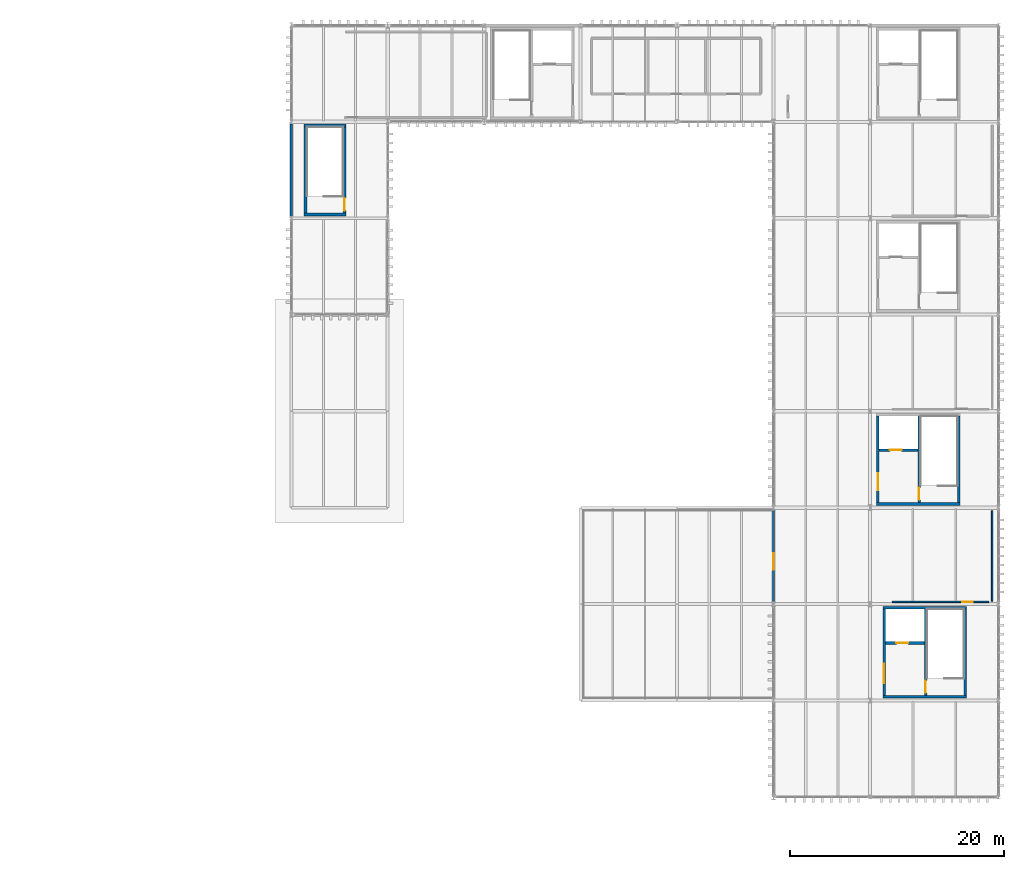
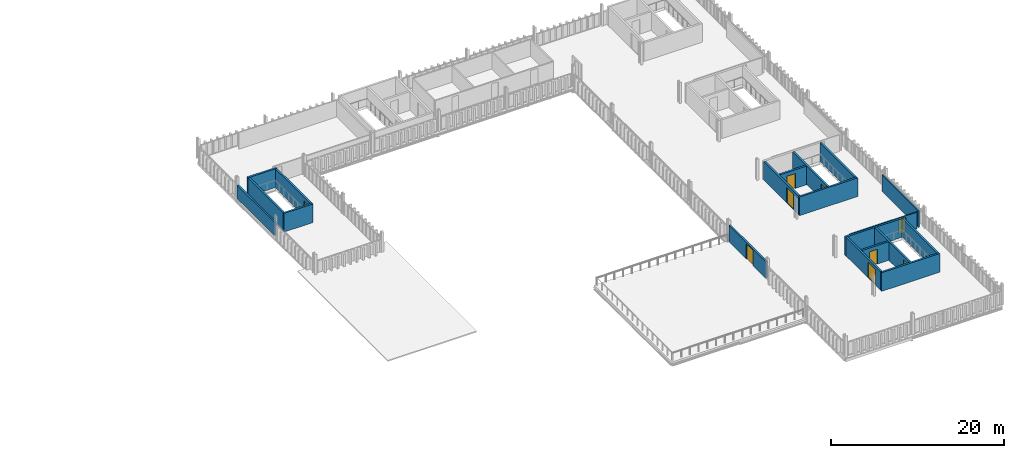
# One storey, part 53 of 58: 19 walls, 9 doors, 9 openings.
"""IFC4 building model written with IfcOpenShell, lengths in metres."""

from ifc_helpers import new_model, si_unit, direction, frame, frame_2d, origin, place, context, subcontext, project, spatial, rectangle, extrude, material, layer, layer_set, type_object, element, fill, save


model = new_model("IFC4")

# Units and contexts
model_context = context("Model", 3, precision=1e-05, world=origin(), true_north=direction((0.0, 1.0)))
body_context = subcontext(model_context, "Body", "Model", "MODEL_VIEW")
ifc_project = project(units=[si_unit("LENGTHUNIT", "METRE"), si_unit("AREAUNIT", "SQUARE_METRE"), si_unit("VOLUMEUNIT", "CUBIC_METRE"), si_unit("PLANEANGLEUNIT", "RADIAN"), si_unit("MASSUNIT", "GRAM", prefix="KILO")], contexts=[model_context])

# Site, building, storey
site_placement = place(None, origin())
site = spatial("IfcSite", under=ifc_project, at=site_placement, CompositionType="ELEMENT")
building_placement = place(site_placement, origin())
building = spatial("IfcBuilding", under=site, at=building_placement, Name="Barlavento Convention Centre", CompositionType="ELEMENT")
storey_placement = place(building_placement, frame((0.0, 0.0, 26.800048828125)))
storey = spatial("IfcBuildingStorey", under=building, at=storey_placement, Name="L05", CompositionType="ELEMENT", Elevation=26.800048828125)

# Wall, opening, door
ifc_material_1 = material(Name="Insulated rainscreen setback wall", Category="masonry")
ifc_layer_1 = layer(ifc_material_1, 0.215087890625)
ifc_layer_set_1 = layer_set([ifc_layer_1], Name="ARC-WL-EXT-215")
wall_type_1 = type_object("IfcWallType", Name="ARC-WL-EXT-215", PredefinedType="SOLIDWALL", material=ifc_layer_set_1)
wall_1_placement = place(storey_placement, frame((171.0, 45.195068359375, 0.0), z_axis=(0.0, 0.0, 1.0), x_axis=(0.0, 1.0, 0.0)))
wall_1 = element("IfcWall", 1, at=wall_1_placement, inside=storey, type_object=wall_type_1, Name="L05 exterior wall EW05", PredefinedType="SOLIDWALL", context=body_context, shape_type="SweptSolid", body=[
    extrude(rectangle(XDim=8.5849609375, YDim=0.215087890625, at=frame_2d((4.29248046875, 0.0))), origin(), (0.0, 0.0, 1.0), 2.349853515625),
])
opening_1_placement = place(wall_1_placement, frame((3.0048828125, 0.0, 0.0)))
opening_1 = element("IfcOpeningElement", 2, at=opening_1_placement, cuts=wall_1, Name="Opening TD-501", PredefinedType="OPENING", context=body_context, shape_type="SweptSolid", body=[
    extrude(rectangle(XDim=1.550048828125, YDim=2.14990234375, at=frame_2d((0.77490234375, 1.074951171875))), frame((0.0, 0.117431640625, 0.0), z_axis=(0.0, -1.0, 0.0), x_axis=(1.0, 0.0, 0.0)), (0.0, 0.0, 1.0), 0.235107421875),
])
ifc_material_2 = material(Name="Anodized aluminium and tempered glass", Category="aluminium")
door_type_1 = type_object("IfcDoorType", Name="ARC-DR-TERR-1550X2200", OperationType="DOUBLE_DOOR_SINGLE_SWING", PredefinedType="DOOR", material=ifc_material_2)
door_1_placement = place(opening_1_placement, origin())
door_1 = element("IfcDoor", 3, at=door_1_placement, inside=storey, type_object=door_type_1, Name="DR-EXT-L05-0064 L05 Belvedere Terrace access door TD-501", OperationType="DOUBLE_DOOR_SINGLE_SWING", OverallHeight=2.14990234375, OverallWidth=1.550048828125, PredefinedType="DOOR", context=body_context, shape_type="SweptSolid", body=[
    extrude(rectangle(XDim=1.550048828125, YDim=2.14990234375, at=frame_2d((0.77490234375, 1.074951171875))), frame((0.0, 0.02490234375, 0.0), z_axis=(0.0, -1.0, 0.0), x_axis=(1.0, 0.0, 0.0)), (0.0, 0.0, 1.0), 0.050048828125),
])
fill(opening_1, door_1)

# Wall
wall_2_placement = place(storey_placement, frame((126.0, 81.1650390625, 0.0), z_axis=(0.0, 0.0, 1.0), x_axis=(0.0, 1.0, 0.0)))
element("IfcWall", 4, at=wall_2_placement, inside=storey, type_object=wall_type_1, Name="L05 exterior wall EW05", PredefinedType="SOLIDWALL", context=body_context, shape_type="SweptSolid", body=[
    extrude(rectangle(XDim=8.639892578125, YDim=0.215087890625, at=frame_2d((4.31982421875, 0.0))), origin(), (0.0, 0.0, 1.0), 1.89990234375),
])

# Wall, opening, door
ifc_material_3 = material(Name="Insulated gypsum partition")
ifc_layer_2 = layer(ifc_material_3, 0.139892578125)
ifc_layer_set_2 = layer_set([ifc_layer_2], Name="ARC-WL-PART-140")
wall_type_2 = type_object("IfcWallType", Name="ARC-WL-PART-140", PredefinedType="PARTITIONING", material=ifc_layer_set_2)
wall_3_placement = place(storey_placement, frame((182.06005859375, 45.199951171875, 0.0), z_axis=(0.0, 0.0, 1.0), x_axis=(1.0, 0.0, 0.0)))
wall_3 = element("IfcWall", 5, at=wall_3_placement, inside=storey, type_object=wall_type_2, Name="L05 interior wall PT-04", PredefinedType="PARTITIONING", context=body_context, shape_type="SweptSolid", body=[
    extrude(rectangle(XDim=9.0400390625, YDim=0.139892578125, at=frame_2d((4.52001953125, 0.0))), origin(), (0.0, 0.0, 1.0), 2.349853515625),
])
opening_2_placement = place(wall_3_placement, frame((6.550048828125, 0.0, 0.0)))
opening_2 = element("IfcOpeningElement", 6, at=opening_2_placement, cuts=wall_3, Name="Opening ID-08", PredefinedType="OPENING", context=body_context, shape_type="SweptSolid", body=[
    extrude(rectangle(XDim=0.97998046875, YDim=2.1201171875, at=frame_2d((0.489990234375, 1.06005859375))), frame((0.0, 0.079833984375, 0.0), z_axis=(0.0, -1.0, 0.0), x_axis=(1.0, 0.0, 0.0)), (0.0, 0.0, 1.0), 0.159912109375),
])
ifc_material_4 = material(Name="Timber veneer acoustic core", Category="wood")
door_type_2 = type_object("IfcDoorType", Name="ARC-DR-ROOM-980X2120", OperationType="NOTDEFINED", PredefinedType="DOOR", material=ifc_material_4)
door_2_placement = place(opening_2_placement, origin())
door_2 = element("IfcDoor", 7, at=door_2_placement, inside=storey, type_object=door_type_2, Name="DR-INT-L05-0246 L05 interior door ID-08", OperationType="SINGLE_SWING_RIGHT", OverallHeight=2.1201171875, OverallWidth=0.97998046875, PredefinedType="DOOR", context=body_context, shape_type="SweptSolid", body=[
    extrude(rectangle(XDim=0.97998046875, YDim=2.1201171875, at=frame_2d((0.489990234375, 1.06005859375))), frame((0.0, 0.02490234375, 0.0), z_axis=(0.0, -1.0, 0.0), x_axis=(1.0, 0.0, 0.0)), (0.0, 0.0, 1.0), 0.050048828125),
])
fill(opening_2, door_2)

# Wall
wall_4_placement = place(storey_placement, frame((191.39990234375, 45.283935546875, 0.0), z_axis=(0.0, 0.0, 1.0), x_axis=(0.0, 1.0, 0.0)))
element("IfcWall", 8, at=wall_4_placement, inside=storey, type_object=wall_type_2, Name="L05 interior wall PT-04", PredefinedType="PARTITIONING", context=body_context, shape_type="SweptSolid", body=[
    extrude(rectangle(XDim=8.43212890625, YDim=0.139892578125, at=frame_2d((4.216064453125, 0.0))), origin(), (0.0, 0.0, 1.0), 2.349853515625),
])

# Wall, opening, door
ifc_material_5 = material(Name="Concrete C50/60", Category="concrete")
ifc_layer_3 = layer(ifc_material_5, 0.25)
ifc_layer_set_3 = layer_set([ifc_layer_3], Name="STR-WL-CORE-250")
wall_type_3 = type_object("IfcWallType", Name="STR-WL-CORE-250", PredefinedType="SHEAR", material=ifc_layer_set_3)
wall_5_placement = place(storey_placement, frame((180.72509765625, 54.469970703125, 0.0), z_axis=(0.0, 0.0, 1.0), x_axis=(0.0, 1.0, 0.0)))
wall_5 = element("IfcWall", 9, at=wall_5_placement, inside=storey, type_object=wall_type_3, Name="L05 interior wall CW-02", PredefinedType="SHEAR", context=body_context, shape_type="SweptSolid", body=[
    extrude(rectangle(XDim=8.06005859375, YDim=0.25, at=frame_2d((4.030029296875, 0.0))), origin(), (0.0, 0.0, 1.0), 2.639892578125),
])
opening_3_placement = place(wall_5_placement, frame((1.14990234375, 0.0, 0.0)))
opening_3 = element("IfcOpeningElement", 10, at=opening_3_placement, cuts=wall_5, Name="Opening FD-02", PredefinedType="OPENING", context=body_context, shape_type="SweptSolid", body=[
    extrude(rectangle(XDim=1.60009765625, YDim=2.199951171875, at=frame_2d((0.800048828125, 1.10009765625))), frame((0.0, 0.135009765625, 0.0), z_axis=(0.0, -1.0, 0.0), x_axis=(1.0, 0.0, 0.0)), (0.0, 0.0, 1.0), 0.27001953125),
])
ifc_material_6 = material(Name="Painted galvanized steel", Category="steel")
door_type_3 = type_object("IfcDoorType", Name="ARC-DR-FIRE-1600X2200", OperationType="DOUBLE_DOOR_SINGLE_SWING", PredefinedType="DOOR", material=ifc_material_6)
door_3_placement = place(opening_3_placement, origin())
door_3 = element("IfcDoor", 11, at=door_3_placement, inside=storey, type_object=door_type_3, Name="DR-INT-L05-0075 L05 LP4 lobby fire door", OperationType="DOUBLE_DOOR_SINGLE_SWING", OverallHeight=2.199951171875, OverallWidth=1.60009765625, PredefinedType="DOOR", context=body_context, shape_type="SweptSolid", body=[
    extrude(rectangle(XDim=1.60009765625, YDim=2.199951171875, at=frame_2d((0.800048828125, 1.10009765625))), frame((0.0, 0.02490234375, 0.0), z_axis=(0.0, -1.0, 0.0), x_axis=(1.0, 0.0, 0.0)), (0.0, 0.0, 1.0), 0.050048828125),
])
fill(opening_3, door_3)

# Walls
wall_6_placement = place(storey_placement, frame((188.27490234375, 54.469970703125, 0.0), z_axis=(0.0, 0.0, 1.0), x_axis=(0.0, 1.0, 0.0)))
element("IfcWall", 12, at=wall_6_placement, inside=storey, type_object=wall_type_3, Name="L05 interior wall CW-02", PredefinedType="SHEAR", context=body_context, shape_type="SweptSolid", body=[
    extrude(rectangle(XDim=8.06005859375, YDim=0.25, at=frame_2d((4.030029296875, 0.0))), origin(), (0.0, 0.0, 1.0), 2.639892578125),
])
wall_7_placement = place(storey_placement, frame((180.60009765625, 54.344970703125, 0.0), z_axis=(0.0, 0.0, 1.0), x_axis=(1.0, 0.0, 0.0)))
element("IfcWall", 13, at=wall_7_placement, inside=storey, type_object=wall_type_3, Name="L05 interior wall CW-02", PredefinedType="SHEAR", context=body_context, shape_type="SweptSolid", body=[
    extrude(rectangle(XDim=7.7998046875, YDim=0.25, at=frame_2d((3.89990234375, 0.0))), origin(), (0.0, 0.0, 1.0), 2.639892578125),
])

# Wall, opening, door
wall_8_placement = place(storey_placement, frame((184.5849609375, 54.469970703125, 0.0), z_axis=(0.0, 0.0, 1.0), x_axis=(0.0, 1.0, 0.0)))
wall_8 = element("IfcWall", 14, at=wall_8_placement, inside=storey, type_object=wall_type_3, Name="L05 interior wall CW-02", PredefinedType="SHEAR", context=body_context, shape_type="SweptSolid", body=[
    extrude(rectangle(XDim=8.06005859375, YDim=0.25, at=frame_2d((4.030029296875, 0.0))), origin(), (0.0, 0.0, 1.0), 2.639892578125),
])
opening_4_placement = place(wall_8_placement, frame((0.25, 0.0, 0.0)))
opening_4 = element("IfcOpeningElement", 15, at=opening_4_placement, cuts=wall_8, Name="Opening FD-03", PredefinedType="OPENING", context=body_context, shape_type="SweptSolid", body=[
    extrude(rectangle(XDim=1.14990234375, YDim=2.14990234375, at=frame_2d((0.574951171875, 1.074951171875))), frame((0.0, 0.135009765625, 0.0), z_axis=(0.0, -1.0, 0.0), x_axis=(1.0, 0.0, 0.0)), (0.0, 0.0, 1.0), 0.27001953125),
])
door_type_4 = type_object("IfcDoorType", Name="ARC-DR-FIRE-1150X2150", OperationType="NOTDEFINED", PredefinedType="DOOR", material=ifc_material_6)
door_4_placement = place(opening_4_placement, origin())
door_4 = element("IfcDoor", 16, at=door_4_placement, inside=storey, type_object=door_type_4, Name="DR-INT-L05-0073 L05 ST05 stair fire door FD-03", OperationType="SINGLE_SWING_LEFT", OverallHeight=2.14990234375, OverallWidth=1.14990234375, PredefinedType="DOOR", context=body_context, shape_type="SweptSolid", body=[
    extrude(rectangle(XDim=1.14990234375, YDim=2.14990234375, at=frame_2d((0.574951171875, 1.074951171875))), frame((0.0, 0.02490234375, 0.0), z_axis=(0.0, -1.0, 0.0), x_axis=(1.0, 0.0, 0.0)), (0.0, 0.0, 1.0), 0.050048828125),
])
fill(opening_4, door_4)

wall_9_placement = place(storey_placement, frame((180.85009765625, 59.3701171875, 0.0), z_axis=(0.0, 0.0, 1.0), x_axis=(1.0, 0.0, 0.0)))
wall_9 = element("IfcWall", 17, at=wall_9_placement, inside=storey, type_object=wall_type_3, Name="L05 interior wall CW-02", PredefinedType="SHEAR", context=body_context, shape_type="SweptSolid", body=[
    extrude(rectangle(XDim=3.60986328125, YDim=0.25, at=frame_2d((1.804931640625, 0.0))), origin(), (0.0, 0.0, 1.0), 2.639892578125),
])
opening_5_placement = place(wall_9_placement, frame((1.0, 0.0, 0.0)))
opening_5 = element("IfcOpeningElement", 18, at=opening_5_placement, cuts=wall_9, Name="Opening LD-02", PredefinedType="OPENING", context=body_context, shape_type="SweptSolid", body=[
    extrude(rectangle(XDim=1.10009765625, YDim=2.10009765625, at=frame_2d((0.550048828125, 1.050048828125))), frame((0.0, 0.135009765625, 0.0), z_axis=(0.0, -1.0, 0.0), x_axis=(1.0, 0.0, 0.0)), (0.0, 0.0, 1.0), 0.27001953125),
])
ifc_material_7 = material(Name="Brushed stainless steel", Category="steel")
door_type_5 = type_object("IfcDoorType", Name="ARC-DR-LIFT-1100X2100", OperationType="DOUBLE_DOOR_SLIDING", PredefinedType="DOOR", material=ifc_material_7)
door_5_placement = place(opening_5_placement, origin())
door_5 = element("IfcDoor", 19, at=door_5_placement, inside=storey, type_object=door_type_5, Name="DR-INT-L05-0074 LP4 lift sliding landing door", OperationType="DOUBLE_DOOR_SLIDING", OverallHeight=2.10009765625, OverallWidth=1.10009765625, PredefinedType="DOOR", context=body_context, shape_type="SweptSolid", body=[
    extrude(rectangle(XDim=1.10009765625, YDim=2.10009765625, at=frame_2d((0.550048828125, 1.050048828125))), frame((0.0, 0.02490234375, 0.0), z_axis=(0.0, -1.0, 0.0), x_axis=(1.0, 0.0, 0.0)), (0.0, 0.0, 1.0), 0.050048828125),
])
fill(opening_5, door_5)

wall_10_placement = place(storey_placement, frame((181.324951171875, 36.469970703125, 0.0), z_axis=(0.0, 0.0, 1.0), x_axis=(0.0, 1.0, 0.0)))
wall_10 = element("IfcWall", 20, at=wall_10_placement, inside=storey, type_object=wall_type_3, Name="L05 interior wall CW-02", PredefinedType="SHEAR", context=body_context, shape_type="SweptSolid", body=[
    extrude(rectangle(XDim=8.06005859375, YDim=0.25, at=frame_2d((4.030029296875, 0.0))), origin(), (0.0, 0.0, 1.0), 2.639892578125),
])
opening_6_placement = place(wall_10_placement, frame((1.14990234375, 0.0, 0.0)))
opening_6 = element("IfcOpeningElement", 21, at=opening_6_placement, cuts=wall_10, Name="Opening FD-01", PredefinedType="OPENING", context=body_context, shape_type="SweptSolid", body=[
    extrude(rectangle(XDim=1.800048828125, YDim=2.199951171875, at=frame_2d((0.89990234375, 1.10009765625))), frame((0.0, 0.135009765625, 0.0), z_axis=(0.0, -1.0, 0.0), x_axis=(1.0, 0.0, 0.0)), (0.0, 0.0, 1.0), 0.27001953125),
])
door_type_6 = type_object("IfcDoorType", Name="ARC-DR-FIRE-1800X2200", OperationType="DOUBLE_DOOR_SINGLE_SWING", PredefinedType="DOOR", material=ifc_material_6)
door_6_placement = place(opening_6_placement, origin())
door_6 = element("IfcDoor", 22, at=door_6_placement, inside=storey, type_object=door_type_6, Name="DR-INT-L05-0096 L05 FL2 lobby fire door", OperationType="DOUBLE_DOOR_SINGLE_SWING", OverallHeight=2.199951171875, OverallWidth=1.800048828125, PredefinedType="DOOR", context=body_context, shape_type="SweptSolid", body=[
    extrude(rectangle(XDim=1.800048828125, YDim=2.199951171875, at=frame_2d((0.89990234375, 1.10009765625))), frame((0.0, 0.02490234375, 0.0), z_axis=(0.0, -1.0, 0.0), x_axis=(1.0, 0.0, 0.0)), (0.0, 0.0, 1.0), 0.050048828125),
])
fill(opening_6, door_6)

# Walls
wall_11_placement = place(storey_placement, frame((188.875, 36.469970703125, 0.0), z_axis=(0.0, 0.0, 1.0), x_axis=(0.0, 1.0, 0.0)))
element("IfcWall", 23, at=wall_11_placement, inside=storey, type_object=wall_type_3, Name="L05 interior wall CW-02", PredefinedType="SHEAR", context=body_context, shape_type="SweptSolid", body=[
    extrude(rectangle(XDim=8.06005859375, YDim=0.25, at=frame_2d((4.030029296875, 0.0))), origin(), (0.0, 0.0, 1.0), 2.639892578125),
])
for number, where, z_axis, x_axis, name in (
    (24, (181.199951171875, 36.344970703125, 0.0), (0.0, 0.0, 1.0), (1.0, 0.0, 0.0), "L05 interior wall CW-02"),
    (25, (181.199951171875, 44.655029296875, 0.0), (0.0, 0.0, 1.0), (1.0, 0.0, 0.0), "L05 interior wall CW-02"),
):
    element("IfcWall", number, at=place(storey_placement, frame(where, z_axis=z_axis, x_axis=x_axis)), inside=storey, type_object=wall_type_3, Name=name, PredefinedType="SHEAR", context=body_context, shape_type="SweptSolid", body=[
        extrude(rectangle(XDim=7.800048828125, YDim=0.25, at=frame_2d((3.89990234375, 0.0))), origin(), (0.0, 0.0, 1.0), 2.639892578125),
    ])

# Wall, opening, door
wall_12_placement = place(storey_placement, frame((185.18505859375, 36.469970703125, 0.0), z_axis=(0.0, 0.0, 1.0), x_axis=(0.0, 1.0, 0.0)))
wall_12 = element("IfcWall", 26, at=wall_12_placement, inside=storey, type_object=wall_type_3, Name="L05 interior wall CW-02", PredefinedType="SHEAR", context=body_context, shape_type="SweptSolid", body=[
    extrude(rectangle(XDim=8.06005859375, YDim=0.25, at=frame_2d((4.030029296875, 0.0))), origin(), (0.0, 0.0, 1.0), 2.639892578125),
])
opening_7_placement = place(wall_12_placement, frame((0.25, 0.0, 0.0)))
opening_7 = element("IfcOpeningElement", 27, at=opening_7_placement, cuts=wall_12, Name="Opening FD-03", PredefinedType="OPENING", context=body_context, shape_type="SweptSolid", body=[
    extrude(rectangle(XDim=1.14990234375, YDim=2.14990234375, at=frame_2d((0.574951171875, 1.074951171875))), frame((0.0, 0.135009765625, 0.0), z_axis=(0.0, -1.0, 0.0), x_axis=(1.0, 0.0, 0.0)), (0.0, 0.0, 1.0), 0.27001953125),
])
door_7_placement = place(opening_7_placement, origin())
door_7 = element("IfcDoor", 28, at=door_7_placement, inside=storey, type_object=door_type_4, Name="DR-INT-L05-0094 L05 ST06 stair fire door FD-03", OperationType="SINGLE_SWING_RIGHT", OverallHeight=2.14990234375, OverallWidth=1.14990234375, PredefinedType="DOOR", context=body_context, shape_type="SweptSolid", body=[
    extrude(rectangle(XDim=1.14990234375, YDim=2.14990234375, at=frame_2d((0.574951171875, 1.074951171875))), frame((0.0, 0.02490234375, 0.0), z_axis=(0.0, -1.0, 0.0), x_axis=(1.0, 0.0, 0.0)), (0.0, 0.0, 1.0), 0.050048828125),
])
fill(opening_7, door_7)

wall_13_placement = place(storey_placement, frame((181.449951171875, 41.3701171875, 0.0), z_axis=(0.0, 0.0, 1.0), x_axis=(1.0, 0.0, 0.0)))
wall_13 = element("IfcWall", 29, at=wall_13_placement, inside=storey, type_object=wall_type_3, Name="L05 interior wall CW-02", PredefinedType="SHEAR", context=body_context, shape_type="SweptSolid", body=[
    extrude(rectangle(XDim=3.610107421875, YDim=0.25, at=frame_2d((1.80517578125, 0.0))), origin(), (0.0, 0.0, 1.0), 2.639892578125),
])
opening_8_placement = place(wall_13_placement, frame((1.0, 0.0, 0.0)))
opening_8 = element("IfcOpeningElement", 30, at=opening_8_placement, cuts=wall_13, Name="Opening LD-02", PredefinedType="OPENING", context=body_context, shape_type="SweptSolid", body=[
    extrude(rectangle(XDim=1.10009765625, YDim=2.10009765625, at=frame_2d((0.550048828125, 1.050048828125))), frame((0.0, 0.135009765625, 0.0), z_axis=(0.0, -1.0, 0.0), x_axis=(1.0, 0.0, 0.0)), (0.0, 0.0, 1.0), 0.27001953125),
])
door_8_placement = place(opening_8_placement, origin())
door_8 = element("IfcDoor", 31, at=door_8_placement, inside=storey, type_object=door_type_5, Name="DR-INT-L05-0095 FL2 lift sliding landing door", OperationType="DOUBLE_DOOR_SLIDING", OverallHeight=2.10009765625, OverallWidth=1.10009765625, PredefinedType="DOOR", context=body_context, shape_type="SweptSolid", body=[
    extrude(rectangle(XDim=1.10009765625, YDim=2.10009765625, at=frame_2d((0.550048828125, 1.050048828125))), frame((0.0, 0.02490234375, 0.0), z_axis=(0.0, -1.0, 0.0), x_axis=(1.0, 0.0, 0.0)), (0.0, 0.0, 1.0), 0.050048828125),
])
fill(opening_8, door_8)

# Wall
wall_14_placement = place(storey_placement, frame((127.324951171875, 81.469970703125, 0.0), z_axis=(0.0, 0.0, 1.0), x_axis=(0.0, 1.0, 0.0)))
element("IfcWall", 32, at=wall_14_placement, inside=storey, type_object=wall_type_3, Name="L05 interior wall CW-02", PredefinedType="SHEAR", context=body_context, shape_type="SweptSolid", body=[
    extrude(rectangle(XDim=8.06005859375, YDim=0.25, at=frame_2d((4.030029296875, 0.0))), origin(), (0.0, 0.0, 1.0), 2.639892578125),
])

# Wall, opening, door
wall_15_placement = place(storey_placement, frame((130.97509765625, 81.469970703125, 0.0), z_axis=(0.0, 0.0, 1.0), x_axis=(0.0, 1.0, 0.0)))
wall_15 = element("IfcWall", 33, at=wall_15_placement, inside=storey, type_object=wall_type_3, Name="L05 interior wall CW-02", PredefinedType="SHEAR", context=body_context, shape_type="SweptSolid", body=[
    extrude(rectangle(XDim=8.06005859375, YDim=0.25, at=frame_2d((4.030029296875, 0.0))), origin(), (0.0, 0.0, 1.0), 2.639892578125),
])
opening_9_placement = place(wall_15_placement, frame((0.25, 0.0, 0.0)))
opening_9 = element("IfcOpeningElement", 34, at=opening_9_placement, cuts=wall_15, Name="Opening FD-03", PredefinedType="OPENING", context=body_context, shape_type="SweptSolid", body=[
    extrude(rectangle(XDim=1.14990234375, YDim=2.14990234375, at=frame_2d((0.574951171875, 1.074951171875))), frame((0.0, 0.135009765625, 0.0), z_axis=(0.0, -1.0, 0.0), x_axis=(1.0, 0.0, 0.0)), (0.0, 0.0, 1.0), 0.27001953125),
])
door_9_placement = place(opening_9_placement, origin())
door_9 = element("IfcDoor", 35, at=door_9_placement, inside=storey, type_object=door_type_4, Name="DR-INT-L05-0176 L05 ST12 stair fire door FD-03", OperationType="SINGLE_SWING_RIGHT", OverallHeight=2.14990234375, OverallWidth=1.14990234375, PredefinedType="DOOR", context=body_context, shape_type="SweptSolid", body=[
    extrude(rectangle(XDim=1.14990234375, YDim=2.14990234375, at=frame_2d((0.574951171875, 1.074951171875))), frame((0.0, 0.02490234375, 0.0), z_axis=(0.0, -1.0, 0.0), x_axis=(1.0, 0.0, 0.0)), (0.0, 0.0, 1.0), 0.050048828125),
])
fill(opening_9, door_9)

# Walls
for number, where, z_axis, x_axis, name in (
    (36, (127.199951171875, 81.344970703125, 0.0), (0.0, 0.0, 1.0), (1.0, 0.0, 0.0), "L05 interior wall CW-02"),
    (37, (127.199951171875, 89.655029296875, 0.0), (0.0, 0.0, 1.0), (1.0, 0.0, 0.0), "L05 interior wall CW-02"),
):
    element("IfcWall", number, at=place(storey_placement, frame(where, z_axis=z_axis, x_axis=x_axis)), inside=storey, type_object=wall_type_3, Name=name, PredefinedType="SHEAR", context=body_context, shape_type="SweptSolid", body=[
        extrude(rectangle(XDim=3.900146484375, YDim=0.25, at=frame_2d((1.9501953125, 0.0))), origin(), (0.0, 0.0, 1.0), 2.639892578125),
    ])

save(model, "model.ifc")
